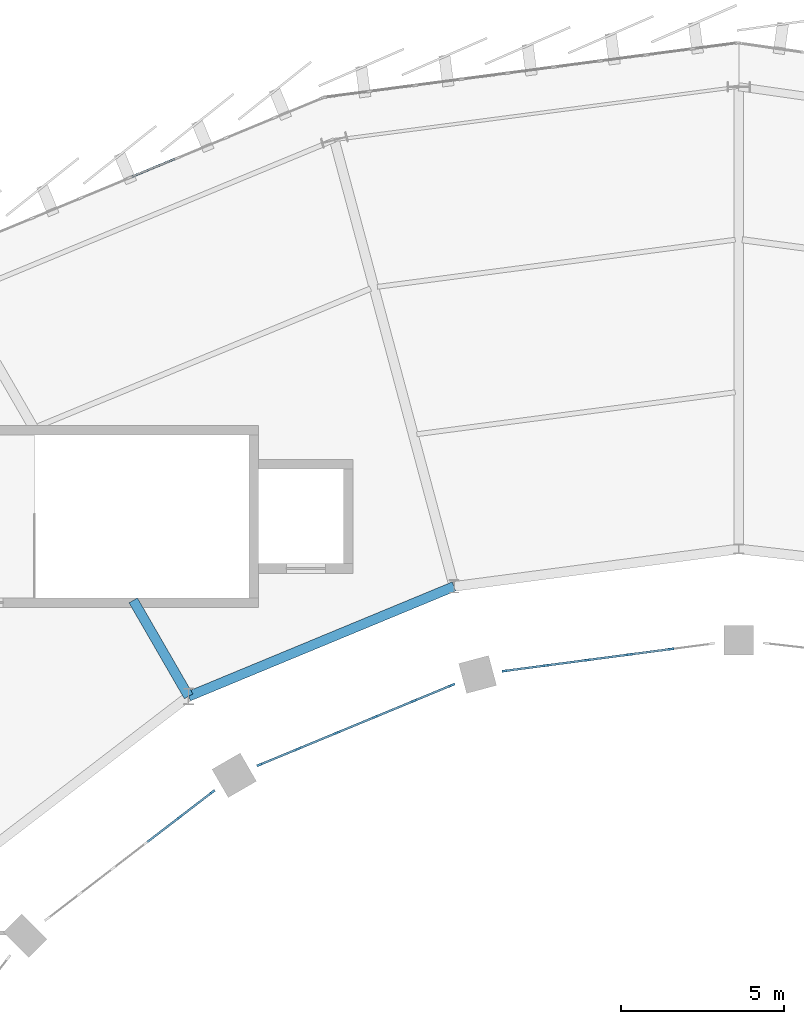
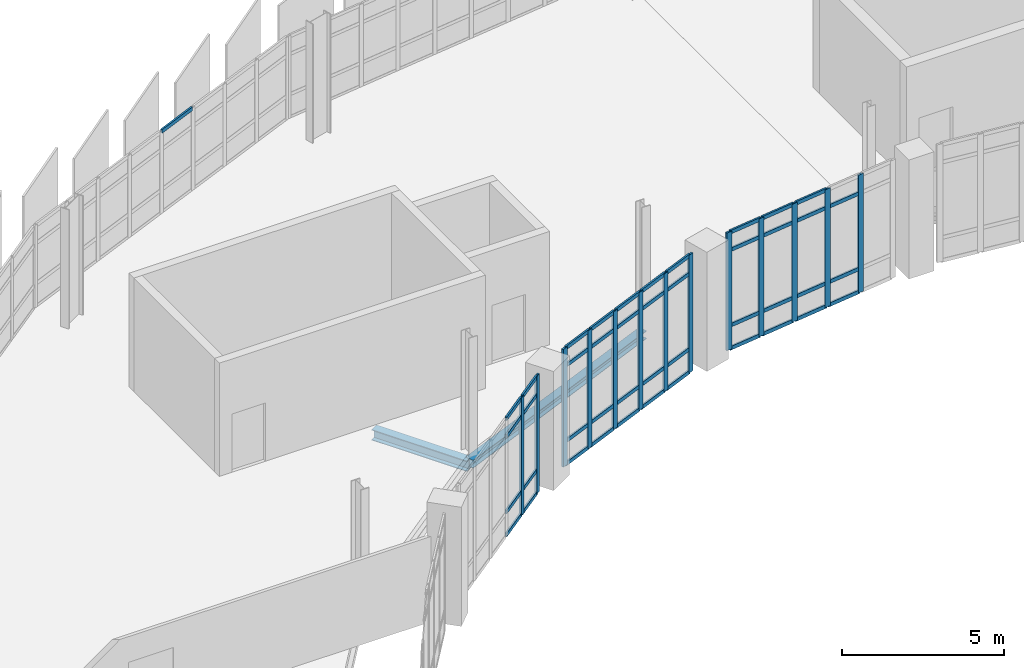
# One storey, part 34 of 67: 57 members, 2 beams, 4 elements without a shape of their own.
"""IFC4 building model written with IfcOpenShell, lengths in metres."""

from ifc_helpers import new_model, si_unit, direction, frame, origin, origin_2d, place, context, subcontext, project, spatial, rectangle, i_section, extrude, material, layer, layer_set, material_profile, profile_set, type_object, element, aggregate, save


model = new_model("IFC4")

# Units and contexts
model_context = context("Model", 3, precision=1e-05, world=origin(), true_north=direction((0.0, 1.0)))
body_context = subcontext(model_context, "Body", "Model", "MODEL_VIEW")
ifc_project = project(units=[si_unit("LENGTHUNIT", "METRE"), si_unit("AREAUNIT", "SQUARE_METRE"), si_unit("VOLUMEUNIT", "CUBIC_METRE"), si_unit("PLANEANGLEUNIT", "RADIAN"), si_unit("MASSUNIT", "GRAM", prefix="KILO")], contexts=[model_context])

# Site, building, storey
site_placement = place(None, origin())
site = spatial("IfcSite", under=ifc_project, at=site_placement, CompositionType="ELEMENT")
building_placement = place(site_placement, origin())
building = spatial("IfcBuilding", under=site, at=building_placement, Name="Sohan Crest Arena", CompositionType="ELEMENT")
storey_placement = place(building_placement, frame((0.0, 0.0, 22.5)))
storey = spatial("IfcBuildingStorey", under=building, at=storey_placement, Name="L05", CompositionType="ELEMENT", Elevation=22.5)

# Curtain wall, members
ifc_material_1 = material(Name="Thermally broken anodised aluminium", Category="aluminium")
ifc_layer_1 = layer(ifc_material_1, 0.18994140625, Name="Thermally broken anodised aluminium")
ifc_layer_set_1 = layer_set([ifc_layer_1], Name="Thermally broken anodised aluminium")
curtain_wall_type_1 = type_object("IfcCurtainWallType", Name="ARC-CW05", PredefinedType="NOTDEFINED", material=ifc_layer_set_1)
curtain_wall_1_placement = place(storey_placement, origin())
curtain_wall_1 = element("IfcCurtainWall", 1, at=curtain_wall_1_placement, inside=storey, type_object=curtain_wall_type_1, Name="Unitised curtain wall CW-164", PredefinedType="NOTDEFINED")
ifc_material_profile_1 = material_profile(ifc_material_1, rectangle(XDim=0.070068359375, YDim=0.199951171875, at=origin_2d()), Name="ALU-MULL 70x200")
ifc_profile_set_1 = profile_set([ifc_material_profile_1], Name="Thermally broken anodised aluminium")
member_type_1 = type_object("IfcMemberType", Name="ARC-CW-ML03", PredefinedType="MULLION", material=ifc_profile_set_1)
member_1_placement = place(storey_placement, frame((95.90771484375, 108.724609375, 0.0), z_axis=(0.0, 0.0, 1.0), x_axis=(0.130498613419, -0.991448491802, 0.0)))
member_1 = element("IfcMember", 2, at=member_1_placement, type_object=member_type_1, Name="CW-164 mullion 2", PredefinedType="MULLION", context=body_context, shape_type="SweptSolid", body=[
    extrude(rectangle(XDim=0.070068359375, YDim=0.199951171875, at=origin_2d()), origin(), (0.0, 0.0, 1.0), 4.449951171875),
])
member_2_placement = place(storey_placement, frame((94.628173828125, 108.55615234375, 0.0), z_axis=(0.0, 0.0, 1.0), x_axis=(0.130498613419, -0.991448491802, 0.0)))
member_2 = element("IfcMember", 3, at=member_2_placement, type_object=member_type_1, Name="CW-164 mullion 3", PredefinedType="MULLION", context=body_context, shape_type="SweptSolid", body=[
    extrude(rectangle(XDim=0.070068359375, YDim=0.199951171875, at=origin_2d()), origin(), (0.0, 0.0, 1.0), 4.449951171875),
])
member_3_placement = place(storey_placement, frame((93.348876953125, 108.3876953125, 0.0), z_axis=(0.0, 0.0, 1.0), x_axis=(0.130498613419, -0.991448491802, 0.0)))
member_3 = element("IfcMember", 4, at=member_3_placement, type_object=member_type_1, Name="CW-164 mullion 4", PredefinedType="MULLION", context=body_context, shape_type="SweptSolid", body=[
    extrude(rectangle(XDim=0.070068359375, YDim=0.199951171875, at=origin_2d()), origin(), (0.0, 0.0, 1.0), 4.449951171875),
])
member_4_placement = place(storey_placement, frame((92.0693359375, 108.219482421875, 0.0), z_axis=(0.0, 0.0, 1.0), x_axis=(0.130498613419, -0.991448491802, 0.0)))
member_4 = element("IfcMember", 5, at=member_4_placement, type_object=member_type_1, Name="CW-164 mullion 5", PredefinedType="MULLION", context=body_context, shape_type="SweptSolid", body=[
    extrude(rectangle(XDim=0.070068359375, YDim=0.199951171875, at=origin_2d()), origin(), (0.0, 0.0, 1.0), 4.449951171875),
])
member_5_placement = place(storey_placement, frame((90.82470703125, 108.0556640625, 0.0), z_axis=(0.0, 0.0, 1.0), x_axis=(0.130498613419, -0.991448491802, 0.0)))
member_5 = element("IfcMember", 6, at=member_5_placement, type_object=member_type_1, Name="CW-164 mullion 6", PredefinedType="MULLION", context=body_context, shape_type="SweptSolid", body=[
    extrude(rectangle(XDim=0.070068359375, YDim=0.199951171875, at=origin_2d()), origin(), (0.0, 0.0, 1.0), 4.449951171875),
])

curtain_wall_2_placement = place(storey_placement, origin())
curtain_wall_2 = element("IfcCurtainWall", 7, at=curtain_wall_2_placement, inside=storey, type_object=curtain_wall_type_1, Name="Unitised curtain wall CW-166", PredefinedType="NOTDEFINED")
member_6_placement = place(storey_placement, frame((89.186767578125, 107.61669921875, 0.0), z_axis=(0.0, 0.0, 1.0), x_axis=(0.382666625357, -0.923886494023, 0.0)))
member_6 = element("IfcMember", 8, at=member_6_placement, type_object=member_type_1, Name="CW-166 mullion 1", PredefinedType="MULLION", context=body_context, shape_type="SweptSolid", body=[
    extrude(rectangle(XDim=0.070068359375, YDim=0.199951171875, at=origin_2d()), origin(), (0.0, 0.0, 1.0), 4.449951171875),
])
member_7_placement = place(storey_placement, frame((88.02685546875, 107.13623046875, 0.0), z_axis=(0.0, 0.0, 1.0), x_axis=(0.382666625357, -0.923886494023, 0.0)))
member_7 = element("IfcMember", 9, at=member_7_placement, type_object=member_type_1, Name="CW-166 mullion 2", PredefinedType="MULLION", context=body_context, shape_type="SweptSolid", body=[
    extrude(rectangle(XDim=0.070068359375, YDim=0.199951171875, at=origin_2d()), origin(), (0.0, 0.0, 1.0), 4.449951171875),
])
member_8_placement = place(storey_placement, frame((86.834716796875, 106.642333984375, 0.0), z_axis=(0.0, 0.0, 1.0), x_axis=(0.382666625357, -0.923886494023, 0.0)))
member_8 = element("IfcMember", 10, at=member_8_placement, type_object=member_type_1, Name="CW-166 mullion 3", PredefinedType="MULLION", context=body_context, shape_type="SweptSolid", body=[
    extrude(rectangle(XDim=0.070068359375, YDim=0.199951171875, at=origin_2d()), origin(), (0.0, 0.0, 1.0), 4.449951171875),
])
member_9_placement = place(storey_placement, frame((85.642333984375, 106.148681640625, 0.0), z_axis=(0.0, 0.0, 1.0), x_axis=(0.382666625357, -0.923886494023, 0.0)))
member_9 = element("IfcMember", 11, at=member_9_placement, type_object=member_type_1, Name="CW-166 mullion 4", PredefinedType="MULLION", context=body_context, shape_type="SweptSolid", body=[
    extrude(rectangle(XDim=0.070068359375, YDim=0.199951171875, at=origin_2d()), origin(), (0.0, 0.0, 1.0), 4.449951171875),
])
member_10_placement = place(storey_placement, frame((84.4501953125, 105.65478515625, 0.0), z_axis=(0.0, 0.0, 1.0), x_axis=(0.382666625357, -0.923886494023, 0.0)))
member_10 = element("IfcMember", 12, at=member_10_placement, type_object=member_type_1, Name="CW-166 mullion 5", PredefinedType="MULLION", context=body_context, shape_type="SweptSolid", body=[
    extrude(rectangle(XDim=0.070068359375, YDim=0.199951171875, at=origin_2d()), origin(), (0.0, 0.0, 1.0), 4.449951171875),
])
member_11_placement = place(storey_placement, frame((83.290283203125, 105.17431640625, 0.0), z_axis=(0.0, 0.0, 1.0), x_axis=(0.382666625357, -0.923886494023, 0.0)))
member_11 = element("IfcMember", 13, at=member_11_placement, type_object=member_type_1, Name="CW-166 mullion 6", PredefinedType="MULLION", context=body_context, shape_type="SweptSolid", body=[
    extrude(rectangle(XDim=0.070068359375, YDim=0.199951171875, at=origin_2d()), origin(), (0.0, 0.0, 1.0), 4.449951171875),
])

curtain_wall_3_placement = place(storey_placement, origin())
curtain_wall_3 = element("IfcCurtainWall", 14, at=curtain_wall_3_placement, inside=storey, type_object=curtain_wall_type_1, Name="Unitised curtain wall CW-168", PredefinedType="NOTDEFINED")
member_12_placement = place(storey_placement, frame((81.8212890625, 104.32666015625, 0.0), z_axis=(0.0, 0.0, 1.0), x_axis=(0.608939000248, -0.793217053508, 0.0)))
member_12 = element("IfcMember", 15, at=member_12_placement, type_object=member_type_1, Name="CW-168 mullion 1", PredefinedType="MULLION", context=body_context, shape_type="SweptSolid", body=[
    extrude(rectangle(XDim=0.070068359375, YDim=0.199951171875, at=origin_2d()), origin(), (0.0, 0.0, 1.0), 4.449951171875),
])
member_13_placement = place(storey_placement, frame((80.825439453125, 103.562255859375, 0.0), z_axis=(0.0, 0.0, 1.0), x_axis=(0.608939000248, -0.793217053508, 0.0)))
member_13 = element("IfcMember", 16, at=member_13_placement, type_object=member_type_1, Name="CW-168 mullion 2", PredefinedType="MULLION", context=body_context, shape_type="SweptSolid", body=[
    extrude(rectangle(XDim=0.070068359375, YDim=0.199951171875, at=origin_2d()), origin(), (0.0, 0.0, 1.0), 4.449951171875),
])

# Curtain wall, member
ifc_layer_2 = layer(ifc_material_1, 0.199951171875, Name="Thermally broken anodised aluminium")
ifc_layer_set_2 = layer_set([ifc_layer_2], Name="Thermally broken anodised aluminium")
curtain_wall_type_2 = type_object("IfcCurtainWallType", Name="ARC-CW02", PredefinedType="NOTDEFINED", material=ifc_layer_set_2)
curtain_wall_4_placement = place(storey_placement, origin())
curtain_wall_4 = element("IfcCurtainWall", 17, at=curtain_wall_4_placement, inside=storey, type_object=curtain_wall_type_2, Name="Unitised curtain wall CW-147", PredefinedType="NOTDEFINED")
ifc_material_profile_2 = material_profile(ifc_material_1, rectangle(XDim=0.06494140625, YDim=0.139892578125, at=origin_2d()), Name="ALU-TRAN 65x140")
ifc_profile_set_2 = profile_set([ifc_material_profile_2], Name="Thermally broken anodised aluminium")
member_type_2 = type_object("IfcMemberType", Name="ARC-CW-TR02", PredefinedType="USERDEFINED", material=ifc_profile_set_2)
member_14_placement = place(storey_placement, frame((80.733642578125, 123.806884765625, 3.08740234375), z_axis=(-0.923841599032, -0.382774999052, 0.0), x_axis=(0.382774999052, -0.923841599032, 0.0)))
member_14 = element("IfcMember", 18, at=member_14_placement, type_object=member_type_2, Name="CW-147 transom 4.4", ObjectType="TRANSOM", PredefinedType="USERDEFINED", context=body_context, shape_type="SweptSolid", body=[
    extrude(rectangle(XDim=0.06494140625, YDim=0.139892578125, at=origin_2d()), origin(), (0.0, 0.0, 1.0), 1.54541015625),
])
aggregate(curtain_wall_4, [member_14])

# Member
member_15_placement = place(storey_placement, frame((95.872802734375, 108.719970703125, 0.032470703125), z_axis=(-0.991457018973, -0.130433812827, 0.0), x_axis=(0.130433812827, -0.991457018973, 0.0)))
member_15 = element("IfcMember", 19, at=member_15_placement, type_object=member_type_2, Name="CW-164 transom 2.1", ObjectType="TRANSOM", PredefinedType="USERDEFINED", context=body_context, shape_type="SweptSolid", body=[
    extrude(rectangle(XDim=0.06494140625, YDim=0.139892578125, at=origin_2d()), origin(), (0.0, 0.0, 1.0), 1.220458984375),
])

member_16_placement = place(storey_placement, frame((95.872802734375, 108.719970703125, 0.89990234375), z_axis=(-0.991457018973, -0.130433812827, 0.0), x_axis=(0.130433812827, -0.991457018973, 0.0)))
member_16 = element("IfcMember", 20, at=member_16_placement, type_object=member_type_2, Name="CW-164 transom 2.2", ObjectType="TRANSOM", PredefinedType="USERDEFINED", context=body_context, shape_type="SweptSolid", body=[
    extrude(rectangle(XDim=0.06494140625, YDim=0.139892578125, at=origin_2d()), origin(), (0.0, 0.0, 1.0), 1.220458984375),
])

member_17_placement = place(storey_placement, frame((95.872802734375, 108.719970703125, 3.75), z_axis=(-0.991457018973, -0.130433812827, 0.0), x_axis=(0.130433812827, -0.991457018973, 0.0)))
member_17 = element("IfcMember", 21, at=member_17_placement, type_object=member_type_2, Name="CW-164 transom 2.3", ObjectType="TRANSOM", PredefinedType="USERDEFINED", context=body_context, shape_type="SweptSolid", body=[
    extrude(rectangle(XDim=0.06494140625, YDim=0.139892578125, at=origin_2d()), origin(), (0.0, 0.0, 1.0), 1.220458984375),
])

member_18_placement = place(storey_placement, frame((94.593505859375, 108.551513671875, 0.032470703125), z_axis=(-0.991457018973, -0.130433812827, 0.0), x_axis=(0.130433812827, -0.991457018973, 0.0)))
member_18 = element("IfcMember", 22, at=member_18_placement, type_object=member_type_2, Name="CW-164 transom 3.1", ObjectType="TRANSOM", PredefinedType="USERDEFINED", context=body_context, shape_type="SweptSolid", body=[
    extrude(rectangle(XDim=0.06494140625, YDim=0.139892578125, at=origin_2d()), origin(), (0.0, 0.0, 1.0), 1.220458984375),
])

member_19_placement = place(storey_placement, frame((94.593505859375, 108.551513671875, 0.89990234375), z_axis=(-0.991457018973, -0.130433812827, 0.0), x_axis=(0.130433812827, -0.991457018973, 0.0)))
member_19 = element("IfcMember", 23, at=member_19_placement, type_object=member_type_2, Name="CW-164 transom 3.2", ObjectType="TRANSOM", PredefinedType="USERDEFINED", context=body_context, shape_type="SweptSolid", body=[
    extrude(rectangle(XDim=0.06494140625, YDim=0.139892578125, at=origin_2d()), origin(), (0.0, 0.0, 1.0), 1.220458984375),
])

member_20_placement = place(storey_placement, frame((94.593505859375, 108.551513671875, 3.75), z_axis=(-0.991457018973, -0.130433812827, 0.0), x_axis=(0.130433812827, -0.991457018973, 0.0)))
member_20 = element("IfcMember", 24, at=member_20_placement, type_object=member_type_2, Name="CW-164 transom 3.3", ObjectType="TRANSOM", PredefinedType="USERDEFINED", context=body_context, shape_type="SweptSolid", body=[
    extrude(rectangle(XDim=0.06494140625, YDim=0.139892578125, at=origin_2d()), origin(), (0.0, 0.0, 1.0), 1.220458984375),
])

member_21_placement = place(storey_placement, frame((94.593505859375, 108.551513671875, 4.41748046875), z_axis=(-0.991457018973, -0.130433812827, 0.0), x_axis=(0.130433812827, -0.991457018973, 0.0)))
member_21 = element("IfcMember", 25, at=member_21_placement, type_object=member_type_2, Name="CW-164 transom 3.4", ObjectType="TRANSOM", PredefinedType="USERDEFINED", context=body_context, shape_type="SweptSolid", body=[
    extrude(rectangle(XDim=0.06494140625, YDim=0.139892578125, at=origin_2d()), origin(), (0.0, 0.0, 1.0), 1.220458984375),
])

member_22_placement = place(storey_placement, frame((93.314208984375, 108.38330078125, 0.032470703125), z_axis=(-0.991434542181, -0.130604550342, 0.0), x_axis=(0.130604550342, -0.991434542181, 0.0)))
member_22 = element("IfcMember", 26, at=member_22_placement, type_object=member_type_2, Name="CW-164 transom 4.1", ObjectType="TRANSOM", PredefinedType="USERDEFINED", context=body_context, shape_type="SweptSolid", body=[
    extrude(rectangle(XDim=0.06494140625, YDim=0.139892578125, at=origin_2d()), origin(), (0.0, 0.0, 1.0), 1.220703125),
])

member_23_placement = place(storey_placement, frame((93.314208984375, 108.38330078125, 0.89990234375), z_axis=(-0.991434542181, -0.130604550342, 0.0), x_axis=(0.130604550342, -0.991434542181, 0.0)))
member_23 = element("IfcMember", 27, at=member_23_placement, type_object=member_type_2, Name="CW-164 transom 4.2", ObjectType="TRANSOM", PredefinedType="USERDEFINED", context=body_context, shape_type="SweptSolid", body=[
    extrude(rectangle(XDim=0.06494140625, YDim=0.139892578125, at=origin_2d()), origin(), (0.0, 0.0, 1.0), 1.220703125),
])

member_24_placement = place(storey_placement, frame((93.314208984375, 108.38330078125, 3.75), z_axis=(-0.991434542181, -0.130604550342, 0.0), x_axis=(0.130604550342, -0.991434542181, 0.0)))
member_24 = element("IfcMember", 28, at=member_24_placement, type_object=member_type_2, Name="CW-164 transom 4.3", ObjectType="TRANSOM", PredefinedType="USERDEFINED", context=body_context, shape_type="SweptSolid", body=[
    extrude(rectangle(XDim=0.06494140625, YDim=0.139892578125, at=origin_2d()), origin(), (0.0, 0.0, 1.0), 1.220703125),
])

member_25_placement = place(storey_placement, frame((93.314208984375, 108.38330078125, 4.41748046875), z_axis=(-0.991434542181, -0.130604550342, 0.0), x_axis=(0.130604550342, -0.991434542181, 0.0)))
member_25 = element("IfcMember", 29, at=member_25_placement, type_object=member_type_2, Name="CW-164 transom 4.4", ObjectType="TRANSOM", PredefinedType="USERDEFINED", context=body_context, shape_type="SweptSolid", body=[
    extrude(rectangle(XDim=0.06494140625, YDim=0.139892578125, at=origin_2d()), origin(), (0.0, 0.0, 1.0), 1.220703125),
])

member_26_placement = place(storey_placement, frame((92.03466796875, 108.21484375, 0.032470703125), z_axis=(-0.991438866968, -0.130571716173, 0.0), x_axis=(0.130571716173, -0.991438866968, 0.0)))
member_26 = element("IfcMember", 30, at=member_26_placement, type_object=member_type_2, Name="CW-164 transom 5.1", ObjectType="TRANSOM", PredefinedType="USERDEFINED", context=body_context, shape_type="SweptSolid", body=[
    extrude(rectangle(XDim=0.06494140625, YDim=0.139892578125, at=origin_2d()), origin(), (0.0, 0.0, 1.0), 1.185546875),
])

member_27_placement = place(storey_placement, frame((92.03466796875, 108.21484375, 0.89990234375), z_axis=(-0.991438866968, -0.130571716173, 0.0), x_axis=(0.130571716173, -0.991438866968, 0.0)))
member_27 = element("IfcMember", 31, at=member_27_placement, type_object=member_type_2, Name="CW-164 transom 5.2", ObjectType="TRANSOM", PredefinedType="USERDEFINED", context=body_context, shape_type="SweptSolid", body=[
    extrude(rectangle(XDim=0.06494140625, YDim=0.139892578125, at=origin_2d()), origin(), (0.0, 0.0, 1.0), 1.185546875),
])

member_28_placement = place(storey_placement, frame((92.03466796875, 108.21484375, 3.75), z_axis=(-0.991438866968, -0.130571716173, 0.0), x_axis=(0.130571716173, -0.991438866968, 0.0)))
member_28 = element("IfcMember", 32, at=member_28_placement, type_object=member_type_2, Name="CW-164 transom 5.3", ObjectType="TRANSOM", PredefinedType="USERDEFINED", context=body_context, shape_type="SweptSolid", body=[
    extrude(rectangle(XDim=0.06494140625, YDim=0.139892578125, at=origin_2d()), origin(), (0.0, 0.0, 1.0), 1.185546875),
])

member_29_placement = place(storey_placement, frame((92.03466796875, 108.21484375, 4.41748046875), z_axis=(-0.991438866968, -0.130571716173, 0.0), x_axis=(0.130571716173, -0.991438866968, 0.0)))
member_29 = element("IfcMember", 33, at=member_29_placement, type_object=member_type_2, Name="CW-164 transom 5.4", ObjectType="TRANSOM", PredefinedType="USERDEFINED", context=body_context, shape_type="SweptSolid", body=[
    extrude(rectangle(XDim=0.06494140625, YDim=0.139892578125, at=origin_2d()), origin(), (0.0, 0.0, 1.0), 1.185546875),
])

aggregate(curtain_wall_1, [member_1, member_2, member_3, member_4, member_5, member_15, member_16, member_17, member_18, member_19, member_20, member_21, member_22, member_23, member_24, member_25, member_26, member_27, member_28, member_29])

member_30_placement = place(storey_placement, frame((89.154296875, 107.603271484375, 0.032470703125), z_axis=(-0.923891330959, -0.382654947151, 0.0), x_axis=(0.382654947151, -0.923891330959, 0.0)))
member_30 = element("IfcMember", 34, at=member_30_placement, type_object=member_type_2, Name="CW-166 transom 1.1", ObjectType="TRANSOM", PredefinedType="USERDEFINED", context=body_context, shape_type="SweptSolid", body=[
    extrude(rectangle(XDim=0.06494140625, YDim=0.139892578125, at=origin_2d()), origin(), (0.0, 0.0, 1.0), 1.185546875),
])

member_31_placement = place(storey_placement, frame((89.154296875, 107.603271484375, 0.89990234375), z_axis=(-0.923891330959, -0.382654947151, 0.0), x_axis=(0.382654947151, -0.923891330959, 0.0)))
member_31 = element("IfcMember", 35, at=member_31_placement, type_object=member_type_2, Name="CW-166 transom 1.2", ObjectType="TRANSOM", PredefinedType="USERDEFINED", context=body_context, shape_type="SweptSolid", body=[
    extrude(rectangle(XDim=0.06494140625, YDim=0.139892578125, at=origin_2d()), origin(), (0.0, 0.0, 1.0), 1.185546875),
])

member_32_placement = place(storey_placement, frame((89.154296875, 107.603271484375, 3.75), z_axis=(-0.923891330959, -0.382654947151, 0.0), x_axis=(0.382654947151, -0.923891330959, 0.0)))
member_32 = element("IfcMember", 36, at=member_32_placement, type_object=member_type_2, Name="CW-166 transom 1.3", ObjectType="TRANSOM", PredefinedType="USERDEFINED", context=body_context, shape_type="SweptSolid", body=[
    extrude(rectangle(XDim=0.06494140625, YDim=0.139892578125, at=origin_2d()), origin(), (0.0, 0.0, 1.0), 1.185546875),
])

member_33_placement = place(storey_placement, frame((89.154296875, 107.603271484375, 4.41748046875), z_axis=(-0.923891330959, -0.382654947151, 0.0), x_axis=(0.382654947151, -0.923891330959, 0.0)))
member_33 = element("IfcMember", 37, at=member_33_placement, type_object=member_type_2, Name="CW-166 transom 1.4", ObjectType="TRANSOM", PredefinedType="USERDEFINED", context=body_context, shape_type="SweptSolid", body=[
    extrude(rectangle(XDim=0.06494140625, YDim=0.139892578125, at=origin_2d()), origin(), (0.0, 0.0, 1.0), 1.185546875),
])

member_34_placement = place(storey_placement, frame((87.994384765625, 107.122802734375, 0.032470703125), z_axis=(-0.923868089985, -0.382711055899, 0.0), x_axis=(0.382711055899, -0.923868089985, 0.0)))
member_34 = element("IfcMember", 38, at=member_34_placement, type_object=member_type_2, Name="CW-166 transom 2.1", ObjectType="TRANSOM", PredefinedType="USERDEFINED", context=body_context, shape_type="SweptSolid", body=[
    extrude(rectangle(XDim=0.06494140625, YDim=0.139892578125, at=origin_2d()), origin(), (0.0, 0.0, 1.0), 1.220458984375),
])

member_35_placement = place(storey_placement, frame((87.994384765625, 107.122802734375, 0.89990234375), z_axis=(-0.923868089985, -0.382711055899, 0.0), x_axis=(0.382711055899, -0.923868089985, 0.0)))
member_35 = element("IfcMember", 39, at=member_35_placement, type_object=member_type_2, Name="CW-166 transom 2.2", ObjectType="TRANSOM", PredefinedType="USERDEFINED", context=body_context, shape_type="SweptSolid", body=[
    extrude(rectangle(XDim=0.06494140625, YDim=0.139892578125, at=origin_2d()), origin(), (0.0, 0.0, 1.0), 1.220458984375),
])

member_36_placement = place(storey_placement, frame((87.994384765625, 107.122802734375, 3.75), z_axis=(-0.923868089985, -0.382711055899, 0.0), x_axis=(0.382711055899, -0.923868089985, 0.0)))
member_36 = element("IfcMember", 40, at=member_36_placement, type_object=member_type_2, Name="CW-166 transom 2.3", ObjectType="TRANSOM", PredefinedType="USERDEFINED", context=body_context, shape_type="SweptSolid", body=[
    extrude(rectangle(XDim=0.06494140625, YDim=0.139892578125, at=origin_2d()), origin(), (0.0, 0.0, 1.0), 1.220458984375),
])

member_37_placement = place(storey_placement, frame((87.994384765625, 107.122802734375, 4.41748046875), z_axis=(-0.923868089985, -0.382711055899, 0.0), x_axis=(0.382711055899, -0.923868089985, 0.0)))
member_37 = element("IfcMember", 41, at=member_37_placement, type_object=member_type_2, Name="CW-166 transom 2.4", ObjectType="TRANSOM", PredefinedType="USERDEFINED", context=body_context, shape_type="SweptSolid", body=[
    extrude(rectangle(XDim=0.06494140625, YDim=0.139892578125, at=origin_2d()), origin(), (0.0, 0.0, 1.0), 1.220458984375),
])

member_38_placement = place(storey_placement, frame((86.80224609375, 106.62890625, 0.032470703125), z_axis=(-0.92393881505, -0.382540280289, 0.0), x_axis=(0.382540280289, -0.92393881505, 0.0)))
member_38 = element("IfcMember", 42, at=member_38_placement, type_object=member_type_2, Name="CW-166 transom 3.1", ObjectType="TRANSOM", PredefinedType="USERDEFINED", context=body_context, shape_type="SweptSolid", body=[
    extrude(rectangle(XDim=0.06494140625, YDim=0.139892578125, at=origin_2d()), origin(), (0.0, 0.0, 1.0), 1.22021484375),
])

member_39_placement = place(storey_placement, frame((86.80224609375, 106.62890625, 0.89990234375), z_axis=(-0.92393881505, -0.382540280289, 0.0), x_axis=(0.382540280289, -0.92393881505, 0.0)))
member_39 = element("IfcMember", 43, at=member_39_placement, type_object=member_type_2, Name="CW-166 transom 3.2", ObjectType="TRANSOM", PredefinedType="USERDEFINED", context=body_context, shape_type="SweptSolid", body=[
    extrude(rectangle(XDim=0.06494140625, YDim=0.139892578125, at=origin_2d()), origin(), (0.0, 0.0, 1.0), 1.22021484375),
])

member_40_placement = place(storey_placement, frame((86.80224609375, 106.62890625, 3.75), z_axis=(-0.92393881505, -0.382540280289, 0.0), x_axis=(0.382540280289, -0.92393881505, 0.0)))
member_40 = element("IfcMember", 44, at=member_40_placement, type_object=member_type_2, Name="CW-166 transom 3.3", ObjectType="TRANSOM", PredefinedType="USERDEFINED", context=body_context, shape_type="SweptSolid", body=[
    extrude(rectangle(XDim=0.06494140625, YDim=0.139892578125, at=origin_2d()), origin(), (0.0, 0.0, 1.0), 1.22021484375),
])

member_41_placement = place(storey_placement, frame((86.80224609375, 106.62890625, 4.41748046875), z_axis=(-0.92393881505, -0.382540280289, 0.0), x_axis=(0.382540280289, -0.92393881505, 0.0)))
member_41 = element("IfcMember", 45, at=member_41_placement, type_object=member_type_2, Name="CW-166 transom 3.4", ObjectType="TRANSOM", PredefinedType="USERDEFINED", context=body_context, shape_type="SweptSolid", body=[
    extrude(rectangle(XDim=0.06494140625, YDim=0.139892578125, at=origin_2d()), origin(), (0.0, 0.0, 1.0), 1.22021484375),
])

member_42_placement = place(storey_placement, frame((85.610107421875, 106.13525390625, 0.032470703125), z_axis=(-0.923897383917, -0.382640332417, 0.0), x_axis=(0.382640332417, -0.923897383917, 0.0)))
member_42 = element("IfcMember", 46, at=member_42_placement, type_object=member_type_2, Name="CW-166 transom 4.1", ObjectType="TRANSOM", PredefinedType="USERDEFINED", context=body_context, shape_type="SweptSolid", body=[
    extrude(rectangle(XDim=0.06494140625, YDim=0.139892578125, at=origin_2d()), origin(), (0.0, 0.0, 1.0), 1.220458984375),
])

member_43_placement = place(storey_placement, frame((85.610107421875, 106.13525390625, 0.89990234375), z_axis=(-0.923897383917, -0.382640332417, 0.0), x_axis=(0.382640332417, -0.923897383917, 0.0)))
member_43 = element("IfcMember", 47, at=member_43_placement, type_object=member_type_2, Name="CW-166 transom 4.2", ObjectType="TRANSOM", PredefinedType="USERDEFINED", context=body_context, shape_type="SweptSolid", body=[
    extrude(rectangle(XDim=0.06494140625, YDim=0.139892578125, at=origin_2d()), origin(), (0.0, 0.0, 1.0), 1.220458984375),
])

member_44_placement = place(storey_placement, frame((85.610107421875, 106.13525390625, 3.75), z_axis=(-0.923897383917, -0.382640332417, 0.0), x_axis=(0.382640332417, -0.923897383917, 0.0)))
member_44 = element("IfcMember", 48, at=member_44_placement, type_object=member_type_2, Name="CW-166 transom 4.3", ObjectType="TRANSOM", PredefinedType="USERDEFINED", context=body_context, shape_type="SweptSolid", body=[
    extrude(rectangle(XDim=0.06494140625, YDim=0.139892578125, at=origin_2d()), origin(), (0.0, 0.0, 1.0), 1.220458984375),
])

member_45_placement = place(storey_placement, frame((85.610107421875, 106.13525390625, 4.41748046875), z_axis=(-0.923897383917, -0.382640332417, 0.0), x_axis=(0.382640332417, -0.923897383917, 0.0)))
member_45 = element("IfcMember", 49, at=member_45_placement, type_object=member_type_2, Name="CW-166 transom 4.4", ObjectType="TRANSOM", PredefinedType="USERDEFINED", context=body_context, shape_type="SweptSolid", body=[
    extrude(rectangle(XDim=0.06494140625, YDim=0.139892578125, at=origin_2d()), origin(), (0.0, 0.0, 1.0), 1.220458984375),
])

member_46_placement = place(storey_placement, frame((84.41796875, 105.641357421875, 0.032470703125), z_axis=(-0.923891330959, -0.382654947151, 0.0), x_axis=(0.382654947151, -0.923891330959, 0.0)))
member_46 = element("IfcMember", 50, at=member_46_placement, type_object=member_type_2, Name="CW-166 transom 5.1", ObjectType="TRANSOM", PredefinedType="USERDEFINED", context=body_context, shape_type="SweptSolid", body=[
    extrude(rectangle(XDim=0.06494140625, YDim=0.139892578125, at=origin_2d()), origin(), (0.0, 0.0, 1.0), 1.185546875),
])

member_47_placement = place(storey_placement, frame((84.41796875, 105.641357421875, 0.89990234375), z_axis=(-0.923891330959, -0.382654947151, 0.0), x_axis=(0.382654947151, -0.923891330959, 0.0)))
member_47 = element("IfcMember", 51, at=member_47_placement, type_object=member_type_2, Name="CW-166 transom 5.2", ObjectType="TRANSOM", PredefinedType="USERDEFINED", context=body_context, shape_type="SweptSolid", body=[
    extrude(rectangle(XDim=0.06494140625, YDim=0.139892578125, at=origin_2d()), origin(), (0.0, 0.0, 1.0), 1.185546875),
])

member_48_placement = place(storey_placement, frame((84.41796875, 105.641357421875, 3.75), z_axis=(-0.923891330959, -0.382654947151, 0.0), x_axis=(0.382654947151, -0.923891330959, 0.0)))
member_48 = element("IfcMember", 52, at=member_48_placement, type_object=member_type_2, Name="CW-166 transom 5.3", ObjectType="TRANSOM", PredefinedType="USERDEFINED", context=body_context, shape_type="SweptSolid", body=[
    extrude(rectangle(XDim=0.06494140625, YDim=0.139892578125, at=origin_2d()), origin(), (0.0, 0.0, 1.0), 1.185546875),
])

member_49_placement = place(storey_placement, frame((84.41796875, 105.641357421875, 4.41748046875), z_axis=(-0.923891330959, -0.382654947151, 0.0), x_axis=(0.382654947151, -0.923891330959, 0.0)))
member_49 = element("IfcMember", 53, at=member_49_placement, type_object=member_type_2, Name="CW-166 transom 5.4", ObjectType="TRANSOM", PredefinedType="USERDEFINED", context=body_context, shape_type="SweptSolid", body=[
    extrude(rectangle(XDim=0.06494140625, YDim=0.139892578125, at=origin_2d()), origin(), (0.0, 0.0, 1.0), 1.185546875),
])

aggregate(curtain_wall_2, [member_6, member_7, member_8, member_9, member_10, member_11, member_30, member_31, member_32, member_33, member_34, member_35, member_36, member_37, member_38, member_39, member_40, member_41, member_42, member_43, member_44, member_45, member_46, member_47, member_48, member_49])

member_50_placement = place(storey_placement, frame((81.79345703125, 104.305419921875, 0.032470703125), z_axis=(-0.793151990467, -0.609023743394, 0.0), x_axis=(0.609023743394, -0.793151990467, 0.0)))
member_50 = element("IfcMember", 54, at=member_50_placement, type_object=member_type_2, Name="CW-168 transom 1.1", ObjectType="TRANSOM", PredefinedType="USERDEFINED", context=body_context, shape_type="SweptSolid", body=[
    extrude(rectangle(XDim=0.06494140625, YDim=0.139892578125, at=origin_2d()), origin(), (0.0, 0.0, 1.0), 1.185302734375),
])

member_51_placement = place(storey_placement, frame((81.79345703125, 104.305419921875, 0.89990234375), z_axis=(-0.793151990467, -0.609023743394, 0.0), x_axis=(0.609023743394, -0.793151990467, 0.0)))
member_51 = element("IfcMember", 55, at=member_51_placement, type_object=member_type_2, Name="CW-168 transom 1.2", ObjectType="TRANSOM", PredefinedType="USERDEFINED", context=body_context, shape_type="SweptSolid", body=[
    extrude(rectangle(XDim=0.06494140625, YDim=0.139892578125, at=origin_2d()), origin(), (0.0, 0.0, 1.0), 1.185302734375),
])

member_52_placement = place(storey_placement, frame((81.79345703125, 104.305419921875, 3.75), z_axis=(-0.793151990467, -0.609023743394, 0.0), x_axis=(0.609023743394, -0.793151990467, 0.0)))
member_52 = element("IfcMember", 56, at=member_52_placement, type_object=member_type_2, Name="CW-168 transom 1.3", ObjectType="TRANSOM", PredefinedType="USERDEFINED", context=body_context, shape_type="SweptSolid", body=[
    extrude(rectangle(XDim=0.06494140625, YDim=0.139892578125, at=origin_2d()), origin(), (0.0, 0.0, 1.0), 1.185302734375),
])

member_53_placement = place(storey_placement, frame((81.79345703125, 104.305419921875, 4.41748046875), z_axis=(-0.793151990467, -0.609023743394, 0.0), x_axis=(0.609023743394, -0.793151990467, 0.0)))
member_53 = element("IfcMember", 57, at=member_53_placement, type_object=member_type_2, Name="CW-168 transom 1.4", ObjectType="TRANSOM", PredefinedType="USERDEFINED", context=body_context, shape_type="SweptSolid", body=[
    extrude(rectangle(XDim=0.06494140625, YDim=0.139892578125, at=origin_2d()), origin(), (0.0, 0.0, 1.0), 1.185302734375),
])

member_54_placement = place(storey_placement, frame((80.797607421875, 103.540771484375, 0.032470703125), z_axis=(-0.793203705004, -0.608956387903, 0.0), x_axis=(0.608956387903, -0.793203705004, 0.0)))
member_54 = element("IfcMember", 58, at=member_54_placement, type_object=member_type_2, Name="CW-168 transom 2.1", ObjectType="TRANSOM", PredefinedType="USERDEFINED", context=body_context, shape_type="SweptSolid", body=[
    extrude(rectangle(XDim=0.06494140625, YDim=0.139892578125, at=origin_2d()), origin(), (0.0, 0.0, 1.0), 1.220458984375),
])

member_55_placement = place(storey_placement, frame((80.797607421875, 103.540771484375, 0.89990234375), z_axis=(-0.793203705004, -0.608956387903, 0.0), x_axis=(0.608956387903, -0.793203705004, 0.0)))
member_55 = element("IfcMember", 59, at=member_55_placement, type_object=member_type_2, Name="CW-168 transom 2.2", ObjectType="TRANSOM", PredefinedType="USERDEFINED", context=body_context, shape_type="SweptSolid", body=[
    extrude(rectangle(XDim=0.06494140625, YDim=0.139892578125, at=origin_2d()), origin(), (0.0, 0.0, 1.0), 1.220458984375),
])

member_56_placement = place(storey_placement, frame((80.797607421875, 103.540771484375, 3.75), z_axis=(-0.793203705004, -0.608956387903, 0.0), x_axis=(0.608956387903, -0.793203705004, 0.0)))
member_56 = element("IfcMember", 60, at=member_56_placement, type_object=member_type_2, Name="CW-168 transom 2.3", ObjectType="TRANSOM", PredefinedType="USERDEFINED", context=body_context, shape_type="SweptSolid", body=[
    extrude(rectangle(XDim=0.06494140625, YDim=0.139892578125, at=origin_2d()), origin(), (0.0, 0.0, 1.0), 1.220458984375),
])

member_57_placement = place(storey_placement, frame((80.797607421875, 103.540771484375, 4.41748046875), z_axis=(-0.793203705004, -0.608956387903, 0.0), x_axis=(0.608956387903, -0.793203705004, 0.0)))
member_57 = element("IfcMember", 61, at=member_57_placement, type_object=member_type_2, Name="CW-168 transom 2.4", ObjectType="TRANSOM", PredefinedType="USERDEFINED", context=body_context, shape_type="SweptSolid", body=[
    extrude(rectangle(XDim=0.06494140625, YDim=0.139892578125, at=origin_2d()), origin(), (0.0, 0.0, 1.0), 1.220458984375),
])

aggregate(curtain_wall_3, [member_12, member_13, member_50, member_51, member_52, member_53, member_54, member_55, member_56, member_57])

# Beams
ifc_material_2 = material(Name="Steel S355", Category="steel")
ifc_material_profile_3 = material_profile(ifc_material_2, i_section(OverallWidth=0.300048828125, OverallDepth=0.300048828125, WebThickness=0.010986328125, FlangeThickness=0.01904296875, at=origin_2d()), Name="HEB 300")
ifc_profile_set_3 = profile_set([ifc_material_profile_3], Name="Steel S355")
beam_type_1 = type_object("IfcBeamType", Name="STR-BM-B12", PredefinedType="BEAM", material=ifc_profile_set_3)
beam_1_placement = place(storey_placement, frame((89.251953125, 110.64794921875, -0.39990234375), z_axis=(-0.923904876385, -0.38262224111, 0.0), x_axis=(0.38262224111, -0.923904876385, 0.0)))
element("IfcBeam", 62, at=beam_1_placement, inside=storey, type_object=beam_type_1, Name="Structural beam G-L05-1713", PredefinedType="BEAM", context=body_context, shape_type="SweptSolid", body=[
    extrude(i_section(OverallWidth=0.300048828125, OverallDepth=0.300048828125, WebThickness=0.010986328125, FlangeThickness=0.01904296875, at=origin_2d()), origin(), (0.0, 0.0, 1.0), 8.8232421875),
])
ifc_material_profile_4 = material_profile(ifc_material_2, i_section(OverallWidth=0.300048828125, OverallDepth=0.39990234375, WebThickness=0.013427734375, FlangeThickness=0.02392578125, at=origin_2d()), Name="HEB 400")
ifc_profile_set_4 = profile_set([ifc_material_profile_4], Name="Steel S355")
beam_type_2 = type_object("IfcBeamType", Name="STR-BM-B13", PredefinedType="BEAM", material=ifc_profile_set_4)
beam_2_placement = place(storey_placement, frame((81.10009765625, 107.27197265625, -0.449951171875), z_axis=(-0.500026652407, 0.866010015463, 0.0), x_axis=(-0.866010015463, -0.500026652407, 0.0)))
element("IfcBeam", 63, at=beam_2_placement, inside=storey, type_object=beam_type_2, Name="Structural beam G-L05-1716", PredefinedType="BEAM", context=body_context, shape_type="SweptSolid", body=[
    extrude(i_section(OverallWidth=0.300048828125, OverallDepth=0.39990234375, WebThickness=0.013427734375, FlangeThickness=0.02392578125, at=origin_2d()), origin(), (0.0, 0.0, 1.0), 3.404052734375),
])

save(model, "model.ifc")
